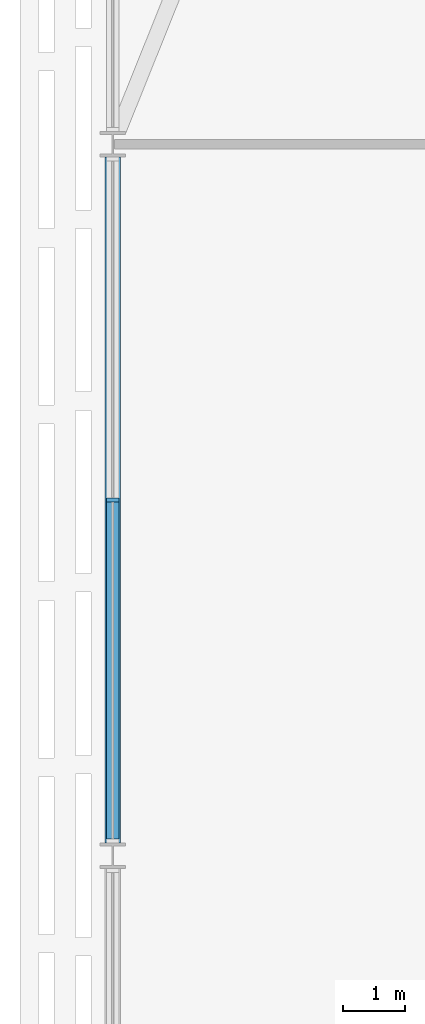
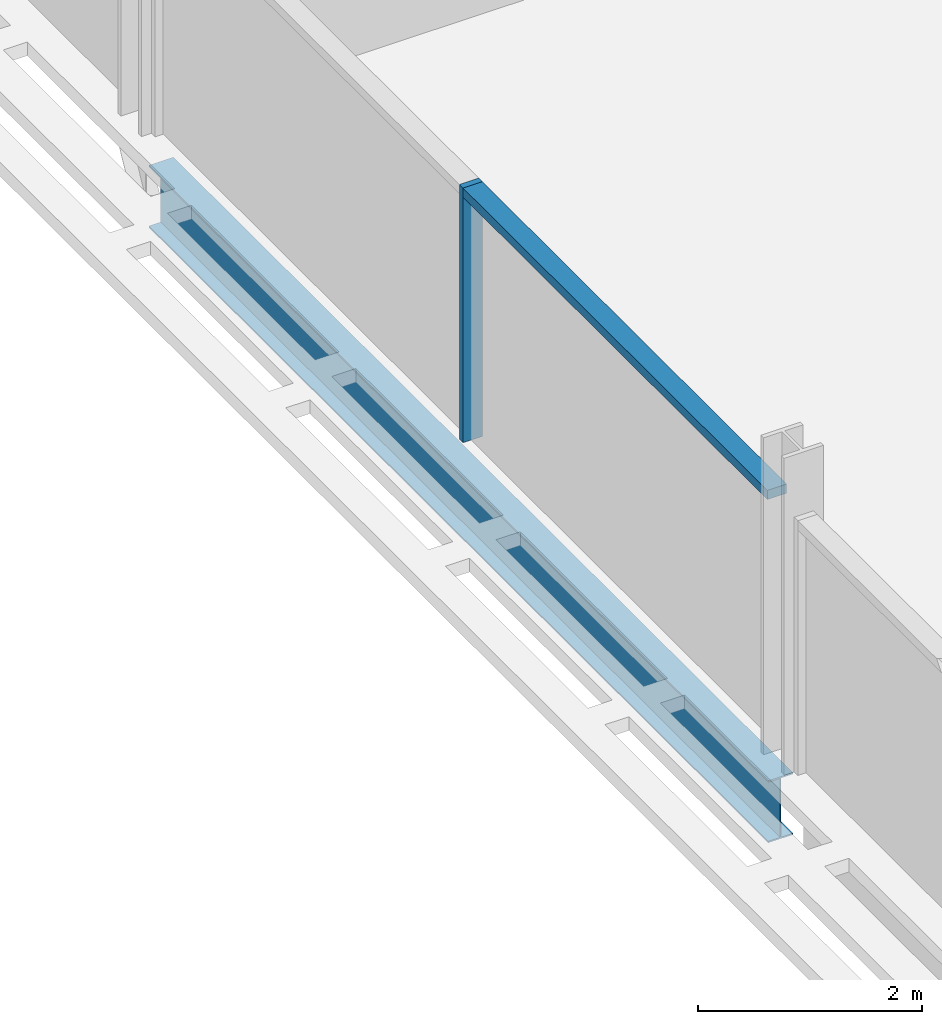
# One storey, part 4 of 27: 2 members, 1 beam, 1 element without a shape of its own.
"""IFC4 building model written with IfcOpenShell, lengths in metres."""

from ifc_helpers import new_model, si_unit, direction, frame, origin, origin_2d, place, context, subcontext, project, spatial, rectangle, i_section, extrude, material, material_profile, profile_set, type_object, element, aggregate, save


model = new_model("IFC4")

# Units and contexts
model_context = context("Model", 3, precision=1e-05, world=origin(), true_north=direction((0.0, 1.0)))
body_context = subcontext(model_context, "Body", "Model", "MODEL_VIEW")
ifc_project = project(units=[si_unit("LENGTHUNIT", "METRE"), si_unit("AREAUNIT", "SQUARE_METRE"), si_unit("VOLUMEUNIT", "CUBIC_METRE"), si_unit("PLANEANGLEUNIT", "RADIAN"), si_unit("MASSUNIT", "GRAM", prefix="KILO")], contexts=[model_context])

# Site, building, storey
site_placement = place(None, origin())
site = spatial("IfcSite", under=ifc_project, at=site_placement, CompositionType="ELEMENT")
building_placement = place(site_placement, origin())
building = spatial("IfcBuilding", under=site, at=building_placement, Name="Mahtab Terrace Research Tower", CompositionType="ELEMENT")
storey_placement = place(building_placement, frame((0.0, 0.0, 182.0)))
storey = spatial("IfcBuildingStorey", under=building, at=storey_placement, Name="L43", CompositionType="ELEMENT", Elevation=182.0)

# Curtain wall, members
ifc_material_1 = material(Name="Laboratory ribbon curtain wall")
curtain_wall_type = type_object("IfcCurtainWallType", Name="Laboratory ribbon curtain wall", PredefinedType="NOTDEFINED", material=ifc_material_1)
curtain_wall_placement = place(storey_placement, origin())
curtain_wall = element("IfcCurtainWall", 1, at=curtain_wall_placement, inside=storey, type_object=curtain_wall_type, Name="EN.L43.8.16", PredefinedType="NOTDEFINED")
ifc_material_2 = material(Name="Natural anodised aluminium", Category="aluminium")
ifc_material_profile_1 = material_profile(ifc_material_2, rectangle(XDim=0.199951171875, YDim=0.06494140625, at=origin_2d()), Name="MULLION 65x200")
ifc_profile_set_1 = profile_set([ifc_material_profile_1], Name="Natural anodised aluminium")
member_type_1 = type_object("IfcMemberType", Name="Laboratory ribbon curtain wall mullion", PredefinedType="MULLION", material=ifc_profile_set_1)
member_1_placement = place(storey_placement, frame((-48.0, 5.75, 0.0), z_axis=(0.0, 0.0, 1.0), x_axis=(1.0, 0.0, 0.0)))
member_1 = element("IfcMember", 2, at=member_1_placement, type_object=member_type_1, Name="CWL-5 mullion 2", PredefinedType="MULLION", context=body_context, shape_type="SweptSolid", body=[
    extrude(rectangle(XDim=0.199951171875, YDim=0.06494140625, at=origin_2d()), origin(), (0.0, 0.0, 1.0), 2.78173828125),
])
ifc_material_profile_2 = material_profile(ifc_material_2, rectangle(XDim=0.199951171875, YDim=0.10009765625, at=origin_2d()), Name="TRANSOM 100x200")
ifc_profile_set_2 = profile_set([ifc_material_profile_2], Name="Natural anodised aluminium")
member_type_2 = type_object("IfcMemberType", Name="Laboratory ribbon curtain wall transom", PredefinedType="USERDEFINED", material=ifc_profile_set_2)
member_2_placement = place(storey_placement, frame((-48.0, 5.717529296875, 2.731689453125), z_axis=(0.0, -1.0, 0.0), x_axis=(1.0, 0.0, 0.0)))
member_2 = element("IfcMember", 3, at=member_2_placement, type_object=member_type_2, Name="CWL-5 transom 2", ObjectType="TRANSOM", PredefinedType="USERDEFINED", context=body_context, shape_type="SweptSolid", body=[
    extrude(rectangle(XDim=0.199951171875, YDim=0.10009765625, at=origin_2d()), origin(), (0.0, 0.0, 1.0), 5.444580078125),
])
aggregate(curtain_wall, [member_1, member_2])

# Beam
ifc_material_3 = material(Name="Steel ASTM A992 Gr 50", Category="steel")
ifc_material_profile_3 = material_profile(ifc_material_3, i_section(OverallWidth=0.25390625, OverallDepth=0.67822265625, WebThickness=0.01171875, FlangeThickness=0.016357421875, at=origin_2d()), Name="W27X84")
ifc_profile_set_3 = profile_set([ifc_material_profile_3], Name="Steel ASTM A992 Gr 50")
beam_type = type_object("IfcBeamType", Name="W27x84 beam BS2784", PredefinedType="BEAM", material=ifc_profile_set_3)
beam_placement = place(storey_placement, frame((-48.0, 11.291748046875, -0.67919921875), z_axis=(0.0, -1.0, 0.0), x_axis=(1.0, 0.0, 0.0)))
element("IfcBeam", 4, at=beam_placement, inside=storey, type_object=beam_type, Name="Spandrel beam L43 09", PredefinedType="BEAM", context=body_context, shape_type="SweptSolid", body=[
    extrude(i_section(OverallWidth=0.25390625, OverallDepth=0.67822265625, WebThickness=0.01171875, FlangeThickness=0.016357421875, at=origin_2d()), origin(), (0.0, 0.0, 1.0), 11.08349609375),
])

save(model, "model.ifc")
